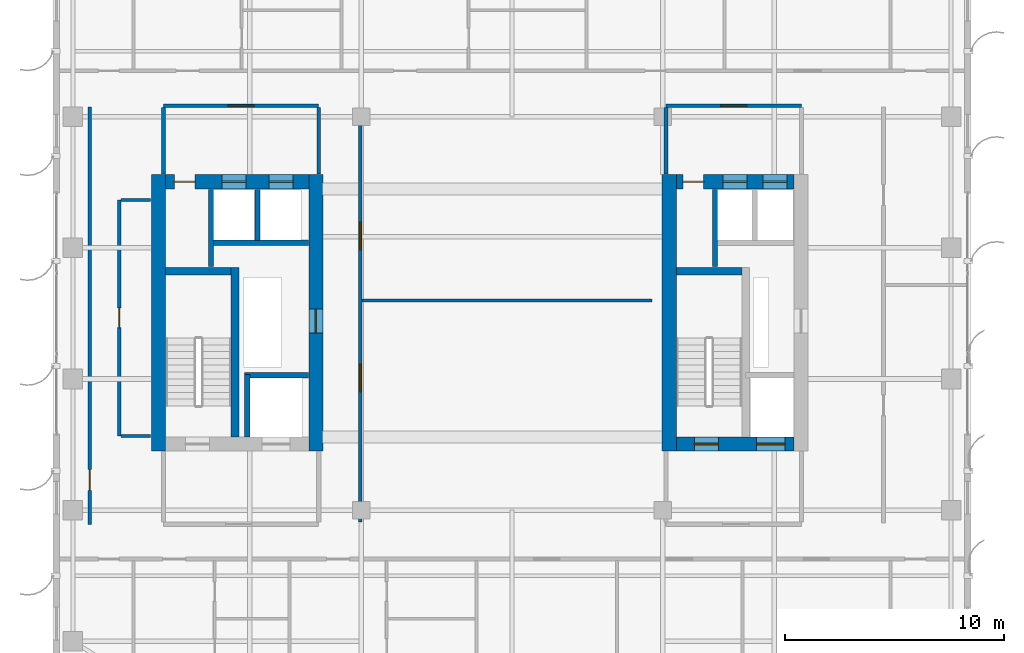
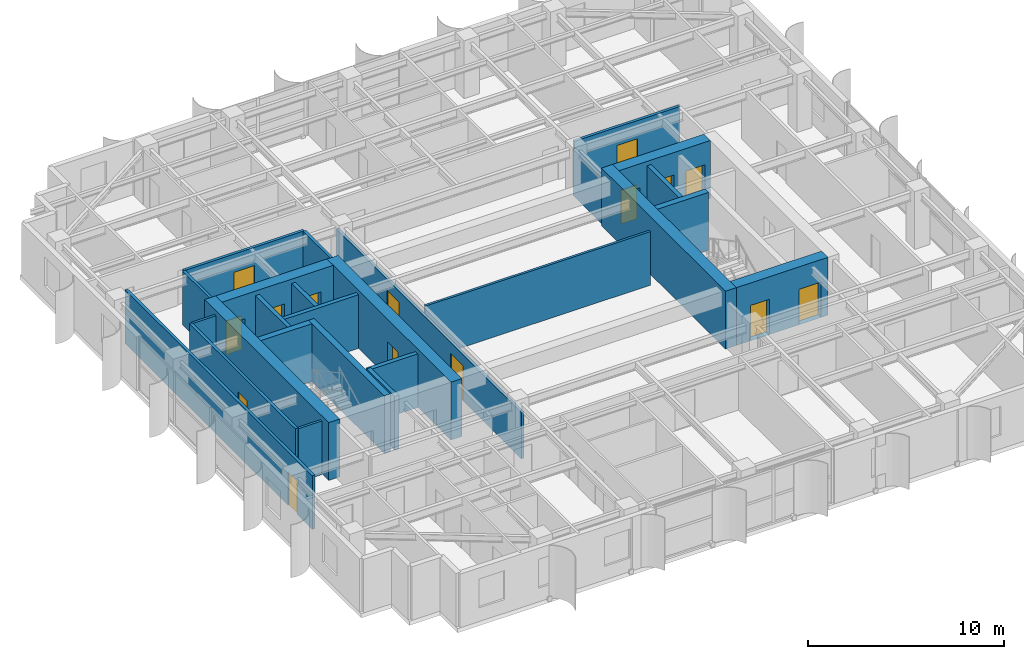
# One storey, part 17 of 22: 26 walls, 15 doors, 15 openings.
"""IFC4 building model written with IfcOpenShell, lengths in metres."""

from ifc_helpers import new_model, si_unit, direction, frame, frame_2d, origin, place, context, subcontext, project, spatial, rectangle, extrude, source, transform, mapped, material, layer, layer_set, type_object, element, fill, save


model = new_model("IFC4")

# Units and contexts
model_context = context("Model", 3, precision=1e-05, world=origin(), true_north=direction((0.0, 1.0)))
body_context = subcontext(model_context, "Body", "Model", "MODEL_VIEW")
ifc_project = project(units=[si_unit("LENGTHUNIT", "METRE"), si_unit("AREAUNIT", "SQUARE_METRE"), si_unit("VOLUMEUNIT", "CUBIC_METRE"), si_unit("PLANEANGLEUNIT", "RADIAN"), si_unit("MASSUNIT", "GRAM", prefix="KILO")], contexts=[model_context])

# Site, building, storey
site_placement = place(None, origin())
site = spatial("IfcSite", under=ifc_project, at=site_placement, CompositionType="ELEMENT")
building_placement = place(site_placement, origin())
building = spatial("IfcBuilding", under=site, at=building_placement, Name="Khoralis Quay Care Tower", CompositionType="ELEMENT")
storey_placement = place(building_placement, frame((0.0, 0.0, 170.10009765625)))
storey = spatial("IfcBuildingStorey", under=building, at=storey_placement, Name="L44", CompositionType="ELEMENT", Elevation=170.10009765625)

# Wall
ifc_material_1 = material(Name="Concrete C65/80", Category="concrete")
ifc_layer_1 = layer(ifc_material_1, 0.64990234375)
ifc_layer_set_1 = layer_set([ifc_layer_1], Name="Concrete C65/80")
wall_type_1 = type_object("IfcWallType", Name="WL-CORE-650", PredefinedType="SHEAR", material=ifc_layer_set_1)
wall_1_placement = place(storey_placement, frame((7.824951171875, 14.699951171875, 0.0), z_axis=(0.0, 0.0, 1.0), x_axis=(0.0, 1.0, 0.0)))
element("IfcWall", 1, at=wall_1_placement, inside=storey, type_object=wall_type_1, Name="L44 WCORE West Shear Wall", PredefinedType="SHEAR", context=body_context, shape_type="SweptSolid", body=[
    extrude(rectangle(XDim=12.650146484375, YDim=0.64990234375, at=frame_2d((6.3251953125, 0.0))), origin(), (0.0, 0.0, 1.0), 3.599853515625),
])

# Wall, opening, door
wall_2_placement = place(storey_placement, frame((15.02490234375, 14.699951171875, 0.0), z_axis=(0.0, 0.0, 1.0), x_axis=(0.0, 1.0, 0.0)))
wall_2 = element("IfcWall", 2, at=wall_2_placement, inside=storey, type_object=wall_type_1, Name="L44 WCORE East Shear Wall", PredefinedType="SHEAR", context=body_context, shape_type="SweptSolid", body=[
    extrude(rectangle(XDim=12.650146484375, YDim=0.64990234375, at=frame_2d((6.3251953125, 0.0))), origin(), (0.0, 0.0, 1.0), 3.599853515625),
])
opening_1_placement = place(wall_2_placement, frame((5.39990234375, 0.0, 0.0)))
opening_1 = element("IfcOpeningElement", 3, at=opening_1_placement, cuts=wall_2, Name="Opening SD1", PredefinedType="OPENING", context=body_context, shape_type="SweptSolid", body=[
    extrude(rectangle(XDim=1.10009765625, YDim=2.199951171875, at=frame_2d((0.550048828125, 1.10009765625))), frame((0.0, 0.3349609375, 0.0), z_axis=(0.0, -1.0, 0.0), x_axis=(1.0, 0.0, 0.0)), (0.0, 0.0, 1.0), 0.669921875),
])
ifc_material_2 = material(Name="Fire-rated painted steel", Category="steel")
door_type_1 = type_object("IfcDoorType", Name="DR-STAIR-1100X2200", OperationType="NOTDEFINED", PredefinedType="DOOR", material=ifc_material_2)
shared_shape_1 = source(origin(), body_context, "Body", "SweptSolid", [
    extrude(rectangle(XDim=1.10009765625, YDim=2.199951171875, at=frame_2d((0.550048828125, 1.10009765625))), frame((0.0, 0.02490234375, 0.0), z_axis=(0.0, -1.0, 0.0), x_axis=(1.0, 0.0, 0.0)), (0.0, 0.0, 1.0), 0.050048828125),
])
door_1_placement = place(opening_1_placement, origin())
door_1 = element("IfcDoor", 4, at=door_1_placement, inside=storey, type_object=door_type_1, Name="L44 West MEP Riser Door", OperationType="SINGLE_SWING_RIGHT", OverallHeight=2.199951171875, OverallWidth=1.10009765625, PredefinedType="DOOR", context=body_context, shape_type="MappedRepresentation", body=[
    mapped(shared_shape_1, transform((0.0, 0.0, 0.0), scale=1.0)),
])
fill(opening_1, door_1)

# Wall, openings, doors
wall_3_placement = place(storey_placement, frame((8.14990234375, 27.02490234375, 0.0), z_axis=(0.0, 0.0, 1.0), x_axis=(1.0, 0.0, 0.0)))
wall_3 = element("IfcWall", 5, at=wall_3_placement, inside=storey, type_object=wall_type_1, Name="L44 WCORE North Shear Wall", PredefinedType="SHEAR", context=body_context, shape_type="SweptSolid", body=[
    extrude(rectangle(XDim=6.550048828125, YDim=0.64990234375, at=frame_2d((3.27490234375, 0.0))), origin(), (0.0, 0.0, 1.0), 3.599853515625),
])
opening_2_placement = place(wall_3_placement, frame((0.39990234375, 0.0, 0.0)))
opening_2 = element("IfcOpeningElement", 6, at=opening_2_placement, cuts=wall_3, Name="Opening ID1", PredefinedType="OPENING", context=body_context, shape_type="SweptSolid", body=[
    extrude(rectangle(XDim=0.949951171875, YDim=2.10009765625, at=frame_2d((0.47509765625, 1.050048828125))), frame((0.0, 0.3349609375, 0.0), z_axis=(0.0, -1.0, 0.0), x_axis=(1.0, 0.0, 0.0)), (0.0, 0.0, 1.0), 0.669921875),
])
opening_3_placement = place(wall_3_placement, frame((2.570068359375, 0.0, 0.0)))
opening_3 = element("IfcOpeningElement", 7, at=opening_3_placement, cuts=wall_3, Name="Opening LD1", PredefinedType="OPENING", context=body_context, shape_type="SweptSolid", body=[
    extrude(rectangle(XDim=1.10009765625, YDim=2.199951171875, at=frame_2d((0.550048828125, 1.10009765625))), frame((0.0, 0.3349609375, 0.0), z_axis=(0.0, -1.0, 0.0), x_axis=(1.0, 0.0, 0.0)), (0.0, 0.0, 1.0), 0.669921875),
])
opening_4_placement = place(wall_3_placement, frame((4.72998046875, 0.0, 0.0)))
opening_4 = element("IfcOpeningElement", 8, at=opening_4_placement, cuts=wall_3, Name="Opening LD1", PredefinedType="OPENING", context=body_context, shape_type="SweptSolid", body=[
    extrude(rectangle(XDim=1.10009765625, YDim=2.199951171875, at=frame_2d((0.550048828125, 1.10009765625))), frame((0.0, 0.3349609375, 0.0), z_axis=(0.0, -1.0, 0.0), x_axis=(1.0, 0.0, 0.0)), (0.0, 0.0, 1.0), 0.669921875),
])
ifc_material_3 = material(Name="Brushed stainless steel", Category="steel")
door_type_2 = type_object("IfcDoorType", Name="DR-LIFT-1100X2200", OperationType="SLIDING_TO_LEFT", PredefinedType="DOOR", material=ifc_material_3)
shared_shape_2 = source(origin(), body_context, "Body", "SweptSolid", [
    extrude(rectangle(XDim=1.10009765625, YDim=2.199951171875, at=frame_2d((0.550048828125, 1.10009765625))), frame((0.0, 0.02490234375, 0.0), z_axis=(0.0, -1.0, 0.0), x_axis=(1.0, 0.0, 0.0)), (0.0, 0.0, 1.0), 0.050048828125),
])
door_2_placement = place(opening_3_placement, origin())
door_2 = element("IfcDoor", 9, at=door_2_placement, inside=storey, type_object=door_type_2, Name="L44 Lift PLM1 Landing Door", OperationType="SLIDING_TO_LEFT", OverallHeight=2.199951171875, OverallWidth=1.10009765625, PredefinedType="DOOR", context=body_context, shape_type="MappedRepresentation", body=[
    mapped(shared_shape_2, transform((0.0, 0.0, 0.0), scale=1.0)),
])
fill(opening_3, door_2)
door_3_placement = place(opening_4_placement, origin())
door_3 = element("IfcDoor", 10, at=door_3_placement, inside=storey, type_object=door_type_2, Name="L44 Lift PLH1 Landing Door", OperationType="SLIDING_TO_LEFT", OverallHeight=2.199951171875, OverallWidth=1.10009765625, PredefinedType="DOOR", context=body_context, shape_type="MappedRepresentation", body=[
    mapped(shared_shape_2, transform((0.0, 0.0, 0.0), scale=1.0)),
])
fill(opening_4, door_3)
ifc_material_4 = material(Name="Acoustic hardwood timber", Category="wood")
door_type_3 = type_object("IfcDoorType", Name="DR-ROOM-950X2100", OperationType="NOTDEFINED", PredefinedType="DOOR", material=ifc_material_4)
shared_shape_3 = source(origin(), body_context, "Body", "SweptSolid", [
    extrude(rectangle(XDim=0.949951171875, YDim=2.10009765625, at=frame_2d((0.47509765625, 1.050048828125))), frame((0.0, 0.02490234375, 0.0), z_axis=(0.0, -1.0, 0.0), x_axis=(1.0, 0.0, 0.0)), (0.0, 0.0, 1.0), 0.050048828125),
])
door_4_placement = place(opening_2_placement, frame((0.949951171875, 0.0, 0.0), z_axis=(0.0, 0.0, 1.0), x_axis=(-1.0, 0.0, 0.0)))
door_4 = element("IfcDoor", 11, at=door_4_placement, inside=storey, type_object=door_type_3, Name="L44 Medication Room Door", OperationType="SINGLE_SWING_RIGHT", OverallHeight=2.10009765625, OverallWidth=0.949951171875, PredefinedType="DOOR", context=body_context, shape_type="MappedRepresentation", body=[
    mapped(shared_shape_3, transform((0.0, 0.0, 0.0), scale=1.0)),
])
fill(opening_2, door_4)

# Wall
wall_4_placement = place(storey_placement, frame((31.195068359375, 14.699951171875, 0.0), z_axis=(0.0, 0.0, 1.0), x_axis=(0.0, 1.0, 0.0)))
element("IfcWall", 12, at=wall_4_placement, inside=storey, type_object=wall_type_1, Name="L44 ECORE West Shear Wall", PredefinedType="SHEAR", context=body_context, shape_type="SweptSolid", body=[
    extrude(rectangle(XDim=12.650146484375, YDim=0.64990234375, at=frame_2d((6.3251953125, 0.0))), origin(), (0.0, 0.0, 1.0), 3.599853515625),
])

# Wall, openings, doors
wall_5_placement = place(storey_placement, frame((31.52001953125, 15.02490234375, 0.0), z_axis=(0.0, 0.0, 1.0), x_axis=(1.0, 0.0, 0.0)))
wall_5 = element("IfcWall", 13, at=wall_5_placement, inside=storey, type_object=wall_type_1, Name="L44 ECORE South Shear Wall", PredefinedType="SHEAR", context=body_context, shape_type="SweptSolid", body=[
    extrude(rectangle(XDim=5.3798828125, YDim=0.64990234375, at=frame_2d((2.68994140625, 0.0))), origin(), (0.0, 0.0, 1.0), 3.599853515625),
])
opening_5_placement = place(wall_5_placement, frame((0.830078125, 0.0, 0.0)))
opening_5 = element("IfcOpeningElement", 14, at=opening_5_placement, cuts=wall_5, Name="Opening SD1", PredefinedType="OPENING", context=body_context, shape_type="SweptSolid", body=[
    extrude(rectangle(XDim=1.10009765625, YDim=2.199951171875, at=frame_2d((0.550048828125, 1.10009765625))), frame((0.0, 0.3349609375, 0.0), z_axis=(0.0, -1.0, 0.0), x_axis=(1.0, 0.0, 0.0)), (0.0, 0.0, 1.0), 0.669921875),
])
opening_6_placement = place(wall_5_placement, frame((3.679931640625, 0.0, 0.0)))
opening_6 = element("IfcOpeningElement", 15, at=opening_6_placement, cuts=wall_5, Name="Opening LD2", PredefinedType="OPENING", context=body_context, shape_type="SweptSolid", body=[
    extrude(rectangle(XDim=1.300048828125, YDim=2.199951171875, at=frame_2d((0.64990234375, 1.10009765625))), frame((0.0, 0.3349609375, 0.0), z_axis=(0.0, -1.0, 0.0), x_axis=(1.0, 0.0, 0.0)), (0.0, 0.0, 1.0), 0.669921875),
])
door_5_placement = place(opening_5_placement, origin())
door_5 = element("IfcDoor", 16, at=door_5_placement, inside=storey, type_object=door_type_1, Name="L44 Stair ST-T2 Fire Door", OperationType="SINGLE_SWING_LEFT", OverallHeight=2.199951171875, OverallWidth=1.10009765625, PredefinedType="DOOR", context=body_context, shape_type="MappedRepresentation", body=[
    mapped(shared_shape_1, transform((0.0, 0.0, 0.0), scale=1.0)),
])
fill(opening_5, door_5)
door_type_4 = type_object("IfcDoorType", Name="DR-LIFT-1300X2200", OperationType="SLIDING_TO_RIGHT", PredefinedType="DOOR", material=ifc_material_3)
shared_shape_4 = source(origin(), body_context, "Body", "SweptSolid", [
    extrude(rectangle(XDim=1.300048828125, YDim=2.199951171875, at=frame_2d((0.64990234375, 1.10009765625))), frame((0.0, 0.02490234375, 0.0), z_axis=(0.0, -1.0, 0.0), x_axis=(1.0, 0.0, 0.0)), (0.0, 0.0, 1.0), 0.050048828125),
])
door_6_placement = place(opening_6_placement, origin())
door_6 = element("IfcDoor", 17, at=door_6_placement, inside=storey, type_object=door_type_4, Name="L44 Firefighting Lift FFL-2 Landing Door", OperationType="SLIDING_TO_RIGHT", OverallHeight=2.199951171875, OverallWidth=1.300048828125, PredefinedType="DOOR", context=body_context, shape_type="MappedRepresentation", body=[
    mapped(shared_shape_4, transform((0.0, 0.0, 0.0), scale=1.0)),
])
fill(opening_6, door_6)

wall_6_placement = place(storey_placement, frame((31.52001953125, 27.02490234375, 0.0), z_axis=(0.0, 0.0, 1.0), x_axis=(1.0, 0.0, 0.0)))
wall_6 = element("IfcWall", 18, at=wall_6_placement, inside=storey, type_object=wall_type_1, Name="L44 ECORE North Shear Wall", PredefinedType="SHEAR", context=body_context, shape_type="SweptSolid", body=[
    extrude(rectangle(XDim=5.3798828125, YDim=0.64990234375, at=frame_2d((2.68994140625, 0.0))), origin(), (0.0, 0.0, 1.0), 3.599853515625),
])
opening_7_placement = place(wall_6_placement, frame((0.300048828125, 0.0, 0.0)))
opening_7 = element("IfcOpeningElement", 19, at=opening_7_placement, cuts=wall_6, Name="Opening ID1", PredefinedType="OPENING", context=body_context, shape_type="SweptSolid", body=[
    extrude(rectangle(XDim=0.949951171875, YDim=2.10009765625, at=frame_2d((0.47509765625, 1.050048828125))), frame((0.0, 0.3349609375, 0.0), z_axis=(0.0, -1.0, 0.0), x_axis=(1.0, 0.0, 0.0)), (0.0, 0.0, 1.0), 0.669921875),
])
opening_8_placement = place(wall_6_placement, frame((2.1298828125, 0.0, 0.0)))
opening_8 = element("IfcOpeningElement", 20, at=opening_8_placement, cuts=wall_6, Name="Opening LD1", PredefinedType="OPENING", context=body_context, shape_type="SweptSolid", body=[
    extrude(rectangle(XDim=1.10009765625, YDim=2.199951171875, at=frame_2d((0.550048828125, 1.10009765625))), frame((0.0, 0.3349609375, 0.0), z_axis=(0.0, -1.0, 0.0), x_axis=(1.0, 0.0, 0.0)), (0.0, 0.0, 1.0), 0.669921875),
])
opening_9_placement = place(wall_6_placement, frame((3.9599609375, 0.0, 0.0)))
opening_9 = element("IfcOpeningElement", 21, at=opening_9_placement, cuts=wall_6, Name="Opening LD1", PredefinedType="OPENING", context=body_context, shape_type="SweptSolid", body=[
    extrude(rectangle(XDim=1.10009765625, YDim=2.199951171875, at=frame_2d((0.550048828125, 1.10009765625))), frame((0.0, 0.3349609375, 0.0), z_axis=(0.0, -1.0, 0.0), x_axis=(1.0, 0.0, 0.0)), (0.0, 0.0, 1.0), 0.669921875),
])
door_7_placement = place(opening_8_placement, origin())
door_7 = element("IfcDoor", 22, at=door_7_placement, inside=storey, type_object=door_type_2, Name="L44 Lift PLM2 Landing Door", OperationType="SLIDING_TO_LEFT", OverallHeight=2.199951171875, OverallWidth=1.10009765625, PredefinedType="DOOR", context=body_context, shape_type="MappedRepresentation", body=[
    mapped(shared_shape_2, transform((0.0, 0.0, 0.0), scale=1.0)),
])
fill(opening_8, door_7)
door_8_placement = place(opening_9_placement, origin())
door_8 = element("IfcDoor", 23, at=door_8_placement, inside=storey, type_object=door_type_2, Name="L44 Lift PLH2 Landing Door", OperationType="SLIDING_TO_LEFT", OverallHeight=2.199951171875, OverallWidth=1.10009765625, PredefinedType="DOOR", context=body_context, shape_type="MappedRepresentation", body=[
    mapped(shared_shape_2, transform((0.0, 0.0, 0.0), scale=1.0)),
])
fill(opening_9, door_8)
door_9_placement = place(opening_7_placement, frame((0.949951171875, 0.0, 0.0), z_axis=(0.0, 0.0, 1.0), x_axis=(-1.0, 0.0, 0.0)))
door_9 = element("IfcDoor", 24, at=door_9_placement, inside=storey, type_object=door_type_3, Name="L44 Nutrition Pantry Door", OperationType="SINGLE_SWING_LEFT", OverallHeight=2.10009765625, OverallWidth=0.949951171875, PredefinedType="DOOR", context=body_context, shape_type="MappedRepresentation", body=[
    mapped(shared_shape_3, transform((0.0, 0.0, 0.0), scale=1.0)),
])
fill(opening_7, door_9)

# Wall, opening, door
ifc_material_5 = material(Name="Gypsum plasterboard on acoustic metal stud")
ifc_layer_2 = layer(ifc_material_5, 0.1650390625)
ifc_layer_set_2 = layer_set([ifc_layer_2], Name="Gypsum plasterboard on acoustic metal stud")
wall_type_2 = type_object("IfcWallType", Name="WL-CORR-165", PredefinedType="PARTITIONING", material=ifc_layer_set_2)
wall_7_placement = place(storey_placement, frame((8.050048828125, 30.5, 0.0), z_axis=(0.0, 0.0, 1.0), x_axis=(1.0, 0.0, 0.0)))
wall_7 = element("IfcWall", 25, at=wall_7_placement, inside=storey, type_object=wall_type_2, Name="L44 West Lift Lobby North Wall", PredefinedType="PARTITIONING", context=body_context, shape_type="SweptSolid", body=[
    extrude(rectangle(XDim=7.099853515625, YDim=0.1650390625, at=frame_2d((3.5498046875, 0.0))), origin(), (0.0, 0.0, 1.0), 3.33984375),
])
opening_10_placement = place(wall_7_placement, frame((2.949951171875, 0.0, 0.0)))
opening_10 = element("IfcOpeningElement", 26, at=opening_10_placement, cuts=wall_7, Name="Opening FD1", PredefinedType="OPENING", context=body_context, shape_type="SweptSolid", body=[
    extrude(rectangle(XDim=1.199951171875, YDim=2.199951171875, at=frame_2d((0.60009765625, 1.10009765625))), frame((0.0, 0.092529296875, 0.0), z_axis=(0.0, -1.0, 0.0), x_axis=(1.0, 0.0, 0.0)), (0.0, 0.0, 1.0), 0.18505859375),
])
door_type_5 = type_object("IfcDoorType", Name="DR-FFL-1200X2200", OperationType="NOTDEFINED", PredefinedType="DOOR", material=ifc_material_2)
shared_shape_5 = source(origin(), body_context, "Body", "SweptSolid", [
    extrude(rectangle(XDim=1.199951171875, YDim=2.199951171875, at=frame_2d((0.60009765625, 1.10009765625))), frame((0.0, 0.02490234375, 0.0), z_axis=(0.0, -1.0, 0.0), x_axis=(1.0, 0.0, 0.0)), (0.0, 0.0, 1.0), 0.050048828125),
])
door_10_placement = place(opening_10_placement, origin())
door_10 = element("IfcDoor", 27, at=door_10_placement, inside=storey, type_object=door_type_5, Name="L44 West Lift Lobby Double Door", OperationType="DOUBLE_DOOR_SINGLE_SWING", OverallHeight=2.199951171875, OverallWidth=1.199951171875, PredefinedType="DOOR", context=body_context, shape_type="MappedRepresentation", body=[
    mapped(shared_shape_5, transform((0.0, 0.0, 0.0), scale=1.0)),
])
fill(opening_10, door_10)

# Walls
for number, where, z_axis, x_axis, name in (
    (28, (8.050048828125, 27.3701171875, 0.0), (0.0, 0.0, 1.0), (0.0, 1.0, 0.0), "L44 West Lift Lobby West Wall"),
    (29, (15.14990234375, 27.3701171875, 0.0), (0.0, 0.0, 1.0), (0.0, 1.0, 0.0), "L44 West Lift Lobby East Wall"),
):
    element("IfcWall", number, at=place(storey_placement, frame(where, z_axis=z_axis, x_axis=x_axis)), inside=storey, type_object=wall_type_2, Name=name, PredefinedType="PARTITIONING", context=body_context, shape_type="SweptSolid", body=[
        extrude(rectangle(XDim=3.052490234375, YDim=0.1650390625, at=frame_2d((1.5263671875, 0.0))), origin(), (0.0, 0.0, 1.0), 3.33984375),
    ])

# Wall, opening, door
wall_8_placement = place(storey_placement, frame((31.050048828125, 30.5, 0.0), z_axis=(0.0, 0.0, 1.0), x_axis=(1.0, 0.0, 0.0)))
wall_8 = element("IfcWall", 30, at=wall_8_placement, inside=storey, type_object=wall_type_2, Name="L44 East Lift Lobby North Wall", PredefinedType="PARTITIONING", context=body_context, shape_type="SweptSolid", body=[
    extrude(rectangle(XDim=6.199951171875, YDim=0.1650390625, at=frame_2d((3.10009765625, 0.0))), origin(), (0.0, 0.0, 1.0), 3.33984375),
])
opening_11_placement = place(wall_8_placement, frame((2.5, 0.0, 0.0)))
opening_11 = element("IfcOpeningElement", 31, at=opening_11_placement, cuts=wall_8, Name="Opening FD1", PredefinedType="OPENING", context=body_context, shape_type="SweptSolid", body=[
    extrude(rectangle(XDim=1.199951171875, YDim=2.199951171875, at=frame_2d((0.60009765625, 1.10009765625))), frame((0.0, 0.092529296875, 0.0), z_axis=(0.0, -1.0, 0.0), x_axis=(1.0, 0.0, 0.0)), (0.0, 0.0, 1.0), 0.18505859375),
])
door_11_placement = place(opening_11_placement, origin())
door_11 = element("IfcDoor", 32, at=door_11_placement, inside=storey, type_object=door_type_5, Name="L44 East Lift Lobby Double Door", OperationType="DOUBLE_DOOR_SINGLE_SWING", OverallHeight=2.199951171875, OverallWidth=1.199951171875, PredefinedType="DOOR", context=body_context, shape_type="MappedRepresentation", body=[
    mapped(shared_shape_5, transform((0.0, 0.0, 0.0), scale=1.0)),
])
fill(opening_11, door_11)

# Wall
wall_9_placement = place(storey_placement, frame((31.050048828125, 27.3701171875, 0.0), z_axis=(0.0, 0.0, 1.0), x_axis=(0.0, 1.0, 0.0)))
element("IfcWall", 33, at=wall_9_placement, inside=storey, type_object=wall_type_2, Name="L44 East Lift Lobby West Wall", PredefinedType="PARTITIONING", context=body_context, shape_type="SweptSolid", body=[
    extrude(rectangle(XDim=3.052490234375, YDim=0.1650390625, at=frame_2d((1.5263671875, 0.0))), origin(), (0.0, 0.0, 1.0), 2.876953125),
])

# Wall, opening, door
wall_10_placement = place(storey_placement, frame((6.02001953125, 15.39990234375, 0.0), z_axis=(0.0, 0.0, 1.0), x_axis=(0.0, 1.0, 0.0)))
wall_10 = element("IfcWall", 34, at=wall_10_placement, inside=storey, type_object=wall_type_2, Name="L44 West Core Service Flank Wall", PredefinedType="PARTITIONING", context=body_context, shape_type="SweptSolid", body=[
    extrude(rectangle(XDim=10.800048828125, YDim=0.1650390625, at=frame_2d((5.39990234375, 0.0))), origin(), (0.0, 0.0, 1.0), 3.33984375),
])
opening_12_placement = place(wall_10_placement, frame((4.949951171875, 0.0, 0.0)))
opening_12 = element("IfcOpeningElement", 35, at=opening_12_placement, cuts=wall_10, Name="Opening WD1", PredefinedType="OPENING", context=body_context, shape_type="SweptSolid", body=[
    extrude(rectangle(XDim=0.89990234375, YDim=2.10009765625, at=frame_2d((0.449951171875, 1.050048828125))), frame((0.0, 0.092529296875, 0.0), z_axis=(0.0, -1.0, 0.0), x_axis=(1.0, 0.0, 0.0)), (0.0, 0.0, 1.0), 0.18505859375),
])
door_type_6 = type_object("IfcDoorType", Name="DR-BATH-900X2100", OperationType="NOTDEFINED", PredefinedType="DOOR", material=ifc_material_4)
shared_shape_6 = source(origin(), body_context, "Body", "SweptSolid", [
    extrude(rectangle(XDim=0.89990234375, YDim=2.10009765625, at=frame_2d((0.449951171875, 1.050048828125))), frame((0.0, 0.02490234375, 0.0), z_axis=(0.0, -1.0, 0.0), x_axis=(1.0, 0.0, 0.0)), (0.0, 0.0, 1.0), 0.050048828125),
])
door_12_placement = place(opening_12_placement, frame((0.89990234375, 0.0, 0.0), z_axis=(0.0, 0.0, 1.0), x_axis=(-1.0, 0.0, 0.0)))
door_12 = element("IfcDoor", 36, at=door_12_placement, inside=storey, type_object=door_type_6, Name="L44 Housekeeping & Public Accessible WC Door", OperationType="SINGLE_SWING_LEFT", OverallHeight=2.10009765625, OverallWidth=0.89990234375, PredefinedType="DOOR", context=body_context, shape_type="MappedRepresentation", body=[
    mapped(shared_shape_6, transform((0.0, 0.0, 0.0), scale=1.0)),
])
fill(opening_12, door_12)

# Wall, openings, doors
wall_11_placement = place(storey_placement, frame((17.050048828125, 11.449951171875, 0.0), z_axis=(0.0, 0.0, 1.0), x_axis=(0.0, 1.0, 0.0)))
wall_11 = element("IfcWall", 37, at=wall_11_placement, inside=storey, type_object=wall_type_2, Name="L44 West Portal Spine Wall", PredefinedType="PARTITIONING", context=body_context, shape_type="SweptSolid", body=[
    extrude(rectangle(XDim=18.900146484375, YDim=0.1650390625, at=frame_2d((9.4501953125, 0.0))), origin(), (0.0, 0.0, 1.0), 2.876953125),
])
opening_13_placement = place(wall_11_placement, frame((5.97509765625, 0.0, 0.0)))
opening_13 = element("IfcOpeningElement", 38, at=opening_13_placement, cuts=wall_11, Name="Opening CD1", PredefinedType="OPENING", context=body_context, shape_type="SweptSolid", body=[
    extrude(rectangle(XDim=1.25, YDim=2.199951171875, at=frame_2d((0.625, 1.10009765625))), frame((0.0, 0.092529296875, 0.0), z_axis=(0.0, -1.0, 0.0), x_axis=(1.0, 0.0, 0.0)), (0.0, 0.0, 1.0), 0.18505859375),
])
opening_14_placement = place(wall_11_placement, frame((12.47509765625, 0.0, 0.0)))
opening_14 = element("IfcOpeningElement", 39, at=opening_14_placement, cuts=wall_11, Name="Opening CD1", PredefinedType="OPENING", context=body_context, shape_type="SweptSolid", body=[
    extrude(rectangle(XDim=1.25, YDim=2.199951171875, at=frame_2d((0.625, 1.10009765625))), frame((0.0, 0.092529296875, 0.0), z_axis=(0.0, -1.0, 0.0), x_axis=(1.0, 0.0, 0.0)), (0.0, 0.0, 1.0), 0.18505859375),
])
door_type_7 = type_object("IfcDoorType", Name="DR-CARE-1250X2200", OperationType="NOTDEFINED", PredefinedType="DOOR", material=ifc_material_4)
shared_shape_7 = source(origin(), body_context, "Body", "SweptSolid", [
    extrude(rectangle(XDim=1.25, YDim=2.199951171875, at=frame_2d((0.625, 1.10009765625))), frame((0.0, 0.02490234375, 0.0), z_axis=(0.0, -1.0, 0.0), x_axis=(1.0, 0.0, 0.0)), (0.0, 0.0, 1.0), 0.050048828125),
])
door_13_placement = place(opening_13_placement, origin())
door_13 = element("IfcDoor", 40, at=door_13_placement, inside=storey, type_object=door_type_7, Name="L44 Nurse Station Door", OperationType="SINGLE_SWING_LEFT", OverallHeight=2.199951171875, OverallWidth=1.25, PredefinedType="DOOR", context=body_context, shape_type="MappedRepresentation", body=[
    mapped(shared_shape_7, transform((0.0, 0.0, 0.0), scale=1.0)),
])
fill(opening_13, door_13)
door_14_placement = place(opening_14_placement, origin())
door_14 = element("IfcDoor", 41, at=door_14_placement, inside=storey, type_object=door_type_7, Name="L44 Activity Hall Door", OperationType="SINGLE_SWING_RIGHT", OverallHeight=2.199951171875, OverallWidth=1.25, PredefinedType="DOOR", context=body_context, shape_type="MappedRepresentation", body=[
    mapped(shared_shape_7, transform((0.0, 0.0, 0.0), scale=1.0)),
])
fill(opening_14, door_14)

# Wall, opening, door
wall_12_placement = place(storey_placement, frame((4.679931640625, 11.35009765625, 0.0), z_axis=(0.0, 0.0, 1.0), x_axis=(0.0, 1.0, 0.0)))
wall_12 = element("IfcWall", 42, at=wall_12_placement, inside=storey, type_object=wall_type_2, Name="L44 West Sunroom Wall", PredefinedType="PARTITIONING", context=body_context, shape_type="SweptSolid", body=[
    extrude(rectangle(XDim=19.099853515625, YDim=0.1650390625, at=frame_2d((9.5498046875, 0.0))), origin(), (0.0, 0.0, 1.0), 3.33984375),
])
opening_15_placement = place(wall_12_placement, frame((1.550048828125, 0.0, 0.0)))
opening_15 = element("IfcOpeningElement", 43, at=opening_15_placement, cuts=wall_12, Name="Opening ID1", PredefinedType="OPENING", context=body_context, shape_type="SweptSolid", body=[
    extrude(rectangle(XDim=0.949951171875, YDim=2.10009765625, at=frame_2d((0.47509765625, 1.050048828125))), frame((0.0, 0.092529296875, 0.0), z_axis=(0.0, -1.0, 0.0), x_axis=(1.0, 0.0, 0.0)), (0.0, 0.0, 1.0), 0.18505859375),
])
door_15_placement = place(opening_15_placement, frame((0.949951171875, 0.0, 0.0), z_axis=(0.0, 0.0, 1.0), x_axis=(-1.0, 0.0, 0.0)))
door_15 = element("IfcDoor", 44, at=door_15_placement, inside=storey, type_object=door_type_3, Name="L44 West Sunroom Door", OperationType="SINGLE_SWING_LEFT", OverallHeight=2.10009765625, OverallWidth=0.949951171875, PredefinedType="DOOR", context=body_context, shape_type="MappedRepresentation", body=[
    mapped(shared_shape_3, transform((0.0, 0.0, 0.0), scale=1.0)),
])
fill(opening_15, door_15)

# Walls
ifc_material_6 = material(Name="Concrete C40/50", Category="concrete")
ifc_layer_3 = layer(ifc_material_6, 0.35009765625)
ifc_layer_set_3 = layer_set([ifc_layer_3], Name="Concrete C40/50")
wall_type_3 = type_object("IfcWallType", Name="WL-SC-CORE-350", PredefinedType="SHEAR", material=ifc_layer_set_3)
wall_13_placement = place(storey_placement, frame((11.324951171875, 15.35009765625, 0.0), z_axis=(0.0, 0.0, 1.0), x_axis=(0.0, 1.0, 0.0)))
element("IfcWall", 45, at=wall_13_placement, inside=storey, type_object=wall_type_3, Name="L44 Stair ST-T1 Shear Baffle Wall East", PredefinedType="SHEAR", context=body_context, shape_type="SweptSolid", body=[
    extrude(rectangle(XDim=7.75, YDim=0.35009765625, at=frame_2d((3.875, 0.0))), origin(), (0.0, 0.0, 1.0), 3.599853515625),
])
for number, where, z_axis, x_axis, name in (
    (46, (8.14990234375, 22.925048828125, 0.0), (0.0, 0.0, 1.0), (1.0, 0.0, 0.0), "L44 Stair ST-T1 Shear Baffle Wall North"),
    (47, (31.52001953125, 22.925048828125, 0.0), (0.0, 0.0, 1.0), (1.0, 0.0, 0.0), "L44 Stair ST-T2 Shear Baffle Wall North"),
):
    element("IfcWall", number, at=place(storey_placement, frame(where, z_axis=z_axis, x_axis=x_axis)), inside=storey, type_object=wall_type_3, Name=name, PredefinedType="SHEAR", context=body_context, shape_type="SweptSolid", body=[
        extrude(rectangle(XDim=3.0, YDim=0.35009765625, at=frame_2d((1.5, 0.0))), origin(), (0.0, 0.0, 1.0), 3.599853515625),
    ])
ifc_layer_4 = layer(ifc_material_5, 0.239990234375)
ifc_layer_set_4 = layer_set([ifc_layer_4], Name="Gypsum plasterboard on acoustic metal stud")
wall_type_4 = type_object("IfcWallType", Name="WL-SHAFT-240", PredefinedType="PARTITIONING", material=ifc_layer_set_4)
wall_14_placement = place(storey_placement, frame((11.8798828125, 15.35009765625, 0.0), z_axis=(0.0, 0.0, 1.0), x_axis=(0.0, 1.0, 0.0)))
element("IfcWall", 48, at=wall_14_placement, inside=storey, type_object=wall_type_4, Name="L44 FFL-1 Shaft Wall West", PredefinedType="PARTITIONING", context=body_context, shape_type="SweptSolid", body=[
    extrude(rectangle(XDim=2.849853515625, YDim=0.239990234375, at=frame_2d((1.4248046875, 0.0))), origin(), (0.0, 0.0, 1.0), 3.33984375),
])
wall_15_placement = place(storey_placement, frame((11.760009765625, 18.169921875, 0.0), z_axis=(0.0, 0.0, 1.0), x_axis=(1.0, 0.0, 0.0)))
element("IfcWall", 49, at=wall_15_placement, inside=storey, type_object=wall_type_4, Name="L44 FFL-1 Shaft Wall North", PredefinedType="PARTITIONING", context=body_context, shape_type="SweptSolid", body=[
    extrude(rectangle(XDim=2.919921875, YDim=0.239990234375, at=frame_2d((1.4599609375, 0.0))), origin(), (0.0, 0.0, 1.0), 3.33984375),
])
wall_16_placement = place(storey_placement, frame((10.219970703125, 23.139892578125, 0.0), z_axis=(0.0, 0.0, 1.0), x_axis=(0.0, 1.0, 0.0)))
element("IfcWall", 50, at=wall_16_placement, inside=storey, type_object=wall_type_4, Name="L44 Reclaimed Bay Divider West", PredefinedType="PARTITIONING", context=body_context, shape_type="SweptSolid", body=[
    extrude(rectangle(XDim=3.5400390625, YDim=0.239990234375, at=frame_2d((1.77001953125, 0.0))), origin(), (0.0, 0.0, 1.0), 3.33984375),
])
wall_17_placement = place(storey_placement, frame((10.3349609375, 24.22998046875, 0.0), z_axis=(0.0, 0.0, 1.0), x_axis=(1.0, 0.0, 0.0)))
element("IfcWall", 51, at=wall_17_placement, inside=storey, type_object=wall_type_4, Name="L44 Active Shaft South Wall West", PredefinedType="PARTITIONING", context=body_context, shape_type="SweptSolid", body=[
    extrude(rectangle(XDim=4.344970703125, YDim=0.239990234375, at=frame_2d((2.17236328125, 0.0))), origin(), (0.0, 0.0, 1.0), 3.33984375),
])
wall_18_placement = place(storey_placement, frame((12.35009765625, 24.344970703125, 0.0), z_axis=(0.0, 0.0, 1.0), x_axis=(0.0, 1.0, 0.0)))
element("IfcWall", 52, at=wall_18_placement, inside=storey, type_object=wall_type_4, Name="L44 West Shaft Divider 2", PredefinedType="PARTITIONING", context=body_context, shape_type="SweptSolid", body=[
    extrude(rectangle(XDim=2.3349609375, YDim=0.239990234375, at=frame_2d((1.16748046875, 0.0))), origin(), (0.0, 0.0, 1.0), 3.33984375),
])
wall_19_placement = place(storey_placement, frame((33.2900390625, 23.139892578125, 0.0), z_axis=(0.0, 0.0, 1.0), x_axis=(0.0, 1.0, 0.0)))
element("IfcWall", 53, at=wall_19_placement, inside=storey, type_object=wall_type_4, Name="L44 Reclaimed Bay Divider East", PredefinedType="PARTITIONING", context=body_context, shape_type="SweptSolid", body=[
    extrude(rectangle(XDim=3.5400390625, YDim=0.239990234375, at=frame_2d((1.77001953125, 0.0))), origin(), (0.0, 0.0, 1.0), 3.33984375),
])
ifc_layer_5 = layer(ifc_material_5, 0.139892578125)
ifc_layer_set_5 = layer_set([ifc_layer_5], Name="Gypsum plasterboard on acoustic metal stud")
wall_type_5 = type_object("IfcWallType", Name="WL-UNIT-140", PredefinedType="PARTITIONING", material=ifc_layer_set_5)
for number, where, z_axis, x_axis, name in (
    (54, (6.097412109375, 15.39990234375, 0.0), (0.0, 0.0, 1.0), (1.0, 0.0, 0.0), "L44 West Flank South Cap"),
    (55, (6.097412109375, 26.199951171875, 0.0), (0.0, 0.0, 1.0), (1.0, 0.0, 0.0), "L44 West Flank North Cap"),
):
    element("IfcWall", number, at=place(storey_placement, frame(where, z_axis=z_axis, x_axis=x_axis)), inside=storey, type_object=wall_type_5, Name=name, PredefinedType="PARTITIONING", context=body_context, shape_type="SweptSolid", body=[
        extrude(rectangle(XDim=1.362548828125, YDim=0.139892578125, at=frame_2d((0.68115234375, 0.0))), origin(), (0.0, 0.0, 1.0), 3.33984375),
    ])
wall_20_placement = place(storey_placement, frame((17.12744140625, 21.60009765625, 0.0), z_axis=(0.0, 0.0, 1.0), x_axis=(1.0, 0.0, 0.0)))
element("IfcWall", 56, at=wall_20_placement, inside=storey, type_object=wall_type_5, Name="L44 Central Split", PredefinedType="PARTITIONING", context=body_context, shape_type="SweptSolid", body=[
    extrude(rectangle(XDim=13.2724609375, YDim=0.139892578125, at=frame_2d((6.63623046875, 0.0))), origin(), (0.0, 0.0, 1.0), 3.33984375),
])

save(model, "model.ifc")
